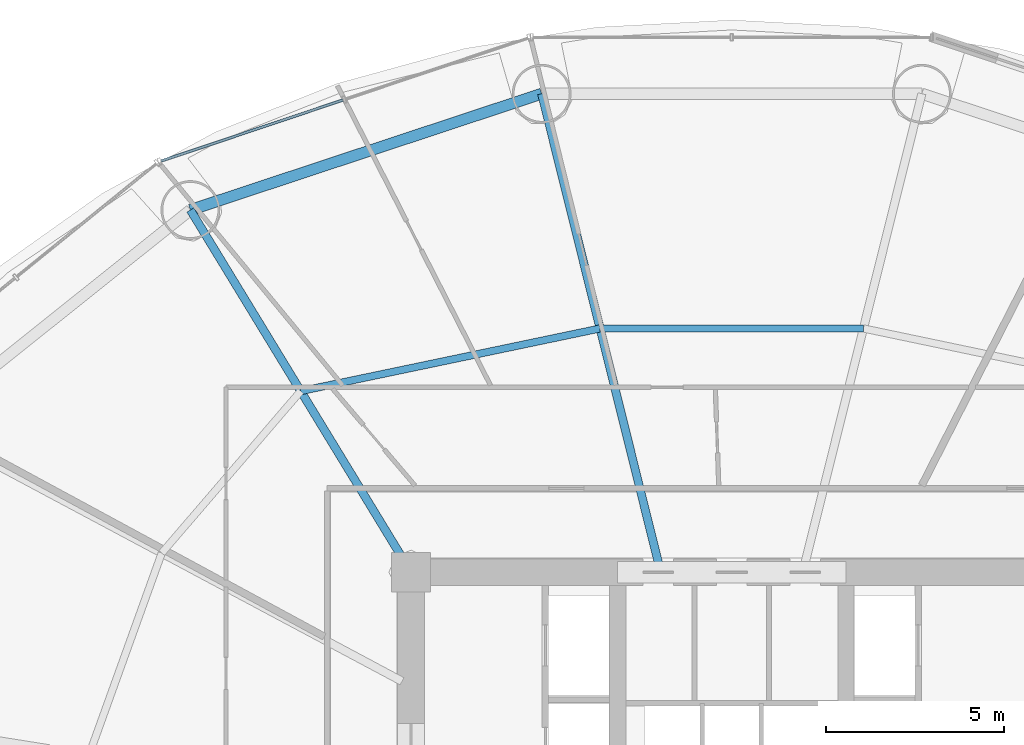
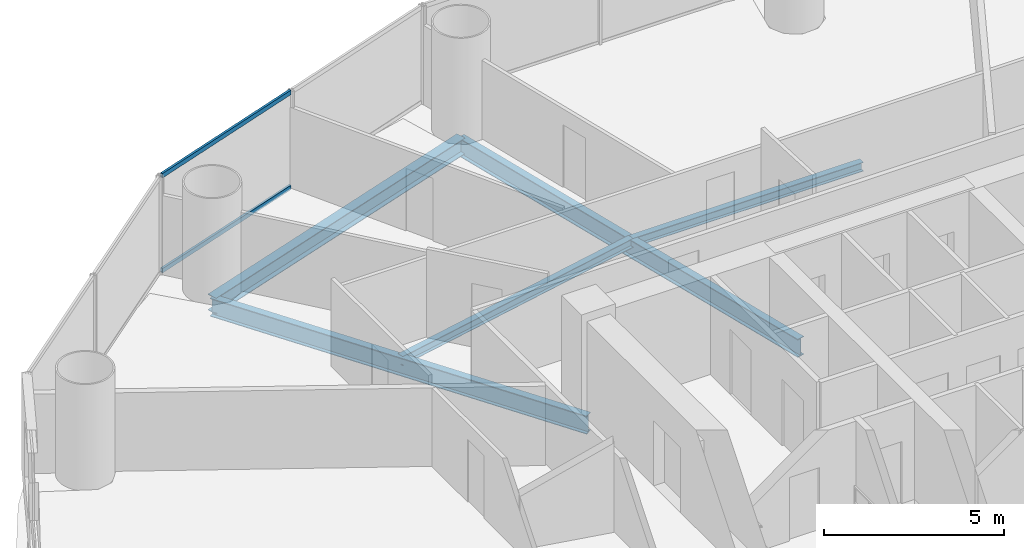
# One storey, part 16 of 29: 5 beams, 2 members, 1 element without a shape of its own.
"""IFC4 building model written with IfcOpenShell, lengths in metres."""

import ifcopenshell
import ifcopenshell.guid

model = None  # the IFC model being written
_history = None  # IfcOwnerHistory: only IFC2X3 demands one
_inside = {}  # id of a spatial element -> (the spatial element, [elements in it])
_under = {}  # id of a project, library or spatial element -> (it, [spatial elements below it])
_declared = {}  # id of a project -> (the project, [libraries it declares])
_typed = {}  # id of a type object -> (the type object, [elements of that type])
_made_of = {}  # id of a material, layer set ... -> (it, [elements and type objects made of it])


def new_model(schema):
    """Start an empty IFC model of exactly this schema.

    Asked for "IFC4X3", IfcOpenShell would pick the latest addendum, in which some entities
    have other attributes; the version numbers below select the first issue.
    IFC2X3 requires an IfcOwnerHistory on every rooted entity: one is made here for all.
    """
    global model, _history
    if schema == "IFC4X3":
        model = ifcopenshell.file(schema_version=(4, 3, 0, 0))
    else:
        model = ifcopenshell.file(schema=schema)
    _inside.clear()
    _under.clear()
    _declared.clear()
    _typed.clear()
    _made_of.clear()
    _history = None
    if model.schema == "IFC2X3":
        org = make("IfcOrganization", Name="unknown")
        user = make(
            "IfcPersonAndOrganization",
            ThePerson=make("IfcPerson", FamilyName="unknown"),
            TheOrganization=org,
        )
        app = make(
            "IfcApplication",
            ApplicationDeveloper=org,
            Version="unknown",
            ApplicationFullName="unknown",
            ApplicationIdentifier="unknown",
        )
        _history = make(
            "IfcOwnerHistory",
            OwningUser=user,
            OwningApplication=app,
            ChangeAction="ADDED",
            CreationDate=0,
        )
    return model


def make(cls, **values):
    """One entity of the class cls with the attributes given. An attribute that is None is left unset."""
    return model.create_entity(
        cls, **{name: value for name, value in values.items() if value is not None}
    )


def rooted(cls, **values):
    """An entity with a GlobalId (a new one), such as an element, a storey or a relation."""
    return make(cls, GlobalId=ifcopenshell.guid.new(), OwnerHistory=_history, **values)


def si_unit(unit_type, name, prefix=None):
    """IfcSIUnit, for example si_unit("LENGTHUNIT", "METRE", prefix="MILLI")."""
    return make("IfcSIUnit", UnitType=unit_type, Prefix=prefix, Name=name)


def assignment(units):
    """IfcUnitAssignment: the units of a project."""
    return None if units is None else make("IfcUnitAssignment", Units=units)


def point(xyz):
    """IfcCartesianPoint."""
    return None if xyz is None else make("IfcCartesianPoint", Coordinates=xyz)


def direction(xyz):
    """IfcDirection."""
    return None if xyz is None else make("IfcDirection", DirectionRatios=xyz)


def frame(location, z_axis=None, x_axis=None):
    """IfcAxis2Placement3D, a coordinate frame: its origin and axes. An axis left out is left unset."""
    return make(
        "IfcAxis2Placement3D",
        Location=point(location),
        Axis=direction(z_axis),
        RefDirection=direction(x_axis),
    )


def frame_2d(location, x_axis=None):
    """IfcAxis2Placement2D, a coordinate frame in the plane: its origin and x axis."""
    return make(
        "IfcAxis2Placement2D", Location=point(location), RefDirection=direction(x_axis)
    )


def origin():
    """The frame at (0, 0, 0) with its axes left unset."""
    return frame((0.0, 0.0, 0.0))


def origin_2d():
    """The frame at (0, 0) in the plane with its x axis left unset."""
    return frame_2d((0.0, 0.0))


def place(relative_to, where):
    """IfcLocalPlacement: puts the frame where relative to a parent placement (None: the world)."""
    return make(
        "IfcLocalPlacement", PlacementRelTo=relative_to, RelativePlacement=where
    )


def context(
    kind, dimensions, precision=None, world=None, true_north=None, identifier=None
):
    """IfcGeometricRepresentationContext, for example the 3D "Model" context."""
    return make(
        "IfcGeometricRepresentationContext",
        ContextIdentifier=identifier,
        ContextType=kind,
        CoordinateSpaceDimension=dimensions,
        Precision=precision,
        WorldCoordinateSystem=world,
        TrueNorth=true_north,
    )


def subcontext(parent, identifier, kind, view, scale=None):
    """IfcGeometricRepresentationSubContext, for example "Body" below "Model"."""
    return make(
        "IfcGeometricRepresentationSubContext",
        ContextIdentifier=identifier,
        ContextType=kind,
        ParentContext=parent,
        TargetScale=scale,
        TargetView=view,
    )


def project(units=None, contexts=None):
    """IfcProject with its units and contexts."""
    return rooted(
        "IfcProject",
        Name="project",
        RepresentationContexts=contexts,
        UnitsInContext=assignment(units),
    )


def spatial(cls, under=None, at=None, **own):
    """A site, building, storey or space (cls), placed at a placement, below another one or the project."""
    s = rooted(cls, ObjectPlacement=at, **own)
    if under is not None:
        _under.setdefault(under.id(), (under, []))[1].append(s)
    return s


def profile(cls, at=None, kind="AREA", **sizes):
    """A parametric profile (cls). Its sizes go by their IFC names, for example OverallWidth=200.0."""
    return make(cls, ProfileType=kind, Position=at, **sizes)


def hollow_rectangle(**sizes):
    """IfcRectangleHollowProfileDef."""
    return profile("IfcRectangleHollowProfileDef", **sizes)


def i_section(**sizes):
    """IfcIShapeProfileDef."""
    return profile("IfcIShapeProfileDef", **sizes)


def extrude(swept, where, along, depth):
    """IfcExtrudedAreaSolid: the profile swept, set in the frame where, extruded along a direction by depth."""
    return make(
        "IfcExtrudedAreaSolid",
        SweptArea=swept,
        Position=where,
        ExtrudedDirection=direction(along),
        Depth=depth,
    )


def shape(context_of_items, identifier, shape_type, items):
    """IfcShapeRepresentation: the items that make up one representation, for example the "Body"."""
    return make(
        "IfcShapeRepresentation",
        ContextOfItems=context_of_items,
        RepresentationIdentifier=identifier,
        RepresentationType=shape_type,
        Items=items,
    )


def source(mapping_origin, context_of_items, identifier, shape_type, items):
    """IfcRepresentationMap: a shape defined once, which mapped items show again and again."""
    return make(
        "IfcRepresentationMap",
        MappingOrigin=mapping_origin,
        MappedRepresentation=shape(context_of_items, identifier, shape_type, items),
    )


def transform(
    local_origin,
    x_axis=None,
    y_axis=None,
    z_axis=None,
    scale=None,
    scale2=None,
    scale3=None,
    uniform=True,
):
    """IfcCartesianTransformationOperator3D, or its non-uniform kind. x_axis, y_axis, z_axis: its Axis1, 2, 3."""
    if uniform:
        return make(
            "IfcCartesianTransformationOperator3D",
            Axis1=direction(x_axis),
            Axis2=direction(y_axis),
            LocalOrigin=point(local_origin),
            Scale=scale,
            Axis3=direction(z_axis),
        )
    return make(
        "IfcCartesianTransformationOperator3DnonUniform",
        Axis1=direction(x_axis),
        Axis2=direction(y_axis),
        LocalOrigin=point(local_origin),
        Scale=scale,
        Axis3=direction(z_axis),
        Scale2=scale2,
        Scale3=scale3,
    )


def mapped(mapping_source, mapping_target):
    """IfcMappedItem: shows the shape of a source again, moved by a transform."""
    return make(
        "IfcMappedItem", MappingSource=mapping_source, MappingTarget=mapping_target
    )


def material(Name=None, Category=None):
    """IfcMaterial."""
    return make("IfcMaterial", Name=Name, Category=Category)


def material_profile(
    of_material, cross_section, Name=None, Category=None, Priority=None
):
    """IfcMaterialProfile: a cross section and its material."""
    return make(
        "IfcMaterialProfile",
        Name=Name,
        Material=of_material,
        Profile=cross_section,
        Priority=Priority,
        Category=Category,
    )


def profile_set(profiles, Name=None, composite=None):
    """IfcMaterialProfileSet."""
    return make(
        "IfcMaterialProfileSet",
        Name=Name,
        MaterialProfiles=profiles,
        CompositeProfile=composite,
    )


def made_of(thing, what):
    """Note that an element or type object is made of a material, layer set ...; save() writes the relation."""
    if what is not None:
        _made_of.setdefault(what.id(), (what, []))[1].append(thing)
    return thing


def type_object(cls, material=None, **own):
    """A type object (cls), such as IfcWallType, which elements share."""
    return made_of(rooted(cls, **own), material)


def element(
    cls,
    number,
    at=None,
    inside=None,
    cuts=None,
    type_object=None,
    material=None,
    context=None,
    identifier="Body",
    shape_type=None,
    held_by="IfcProductDefinitionShape",
    body=None,
    shapes=None,
    **own,
):
    """One element of the class cls, such as IfcWall. Its Tag is "e" and its number.

    at: its placement. inside: the storey or other place that contains it. cuts: it is an
    opening in that element (IfcRelVoidsElement). A single representation is given by context,
    identifier, shape_type and body (its items); several are given by shapes. held_by: the class
    of the entity that holds the representations. save() writes the other relations.
    """
    e = rooted(cls, Tag="e%d" % number, ObjectPlacement=at, **own)
    if body is not None:
        shapes = [shape(context, identifier, shape_type, body)]
    if shapes is not None:
        e.Representation = make(held_by, Representations=shapes)
    if inside is not None:
        _inside.setdefault(inside.id(), (inside, []))[1].append(e)
    if cuts is not None:
        rooted(
            "IfcRelVoidsElement", RelatingBuildingElement=cuts, RelatedOpeningElement=e
        )
    if type_object is not None:
        _typed.setdefault(type_object.id(), (type_object, []))[1].append(e)
    return made_of(e, material)


def aggregate(whole, parts):
    """IfcRelAggregates: a whole, such as a stair, and the parts it consists of."""
    return rooted("IfcRelAggregates", RelatingObject=whole, RelatedObjects=parts)


def save(model, path):
    """Write the relations noted so far, then the file.

    IfcRelAggregates (storeys below a building ...), IfcRelContainedInSpatialStructure (elements
    in a storey), IfcRelDefinesByType, IfcRelAssociatesMaterial and IfcRelDeclares: one each for
    every whole, place, type object, material and project.
    """
    for whole, parts in _under.values():
        aggregate(whole, parts)
    for where, things in _inside.values():
        rooted(
            "IfcRelContainedInSpatialStructure",
            RelatedElements=things,
            RelatingStructure=where,
        )
    for kind, things in _typed.values():
        rooted("IfcRelDefinesByType", RelatedObjects=things, RelatingType=kind)
    for what, things in _made_of.values():
        rooted("IfcRelAssociatesMaterial", RelatedObjects=things, RelatingMaterial=what)
    for by, libraries in _declared.values():
        rooted("IfcRelDeclares", RelatingContext=by, RelatedDefinitions=libraries)
    model.write(path)


model = new_model("IFC4")

# Units and contexts
model_context = context("Model", 3, precision=1e-05, world=origin(), true_north=direction((-0.2419218956, 0.970295726276)))
body_context = subcontext(model_context, "Body", "Model", "MODEL_VIEW")
ifc_project = project(units=[si_unit("LENGTHUNIT", "METRE"), si_unit("AREAUNIT", "SQUARE_METRE"), si_unit("VOLUMEUNIT", "CUBIC_METRE"), si_unit("PLANEANGLEUNIT", "RADIAN"), si_unit("MASSUNIT", "GRAM", prefix="KILO")], contexts=[model_context])

# Site, building, storey
site_placement = place(None, origin())
site = spatial("IfcSite", under=ifc_project, at=site_placement, CompositionType="ELEMENT")
building_placement = place(site_placement, origin())
building = spatial("IfcBuilding", under=site, at=building_placement, Name="Cobrevalo Terracotta Tower", CompositionType="ELEMENT")
storey_placement = place(building_placement, frame((0.0, 0.0, 45.60009765625)))
storey = spatial("IfcBuildingStorey", under=building, at=storey_placement, Name="L11", CompositionType="ELEMENT", Elevation=45.60009765625)

# Beams
ifc_material_1 = material(Name="Steel S355", Category="steel")
ifc_material_profile_1 = material_profile(ifc_material_1, i_section(OverallWidth=0.22998046875, OverallDepth=0.616943359375, WebThickness=0.01318359375, FlangeThickness=0.022216796875, at=origin_2d()), Name="W 610x140")
ifc_profile_set_1 = profile_set([ifc_material_profile_1], Name="Steel S355")
beam_type_1 = type_object("IfcBeamType", Name="Structural Beam W 610x140 (Steel S355)", PredefinedType="BEAM", material=ifc_profile_set_1)
beam_1_placement = place(storey_placement, frame((32.664306640625, 48.230224609375, -0.588623046875), z_axis=(0.241596254786, -0.970376859614, 0.0), x_axis=(0.970376859614, 0.241596254786, 0.0)))
element("IfcBeam", 1, at=beam_1_placement, inside=storey, type_object=beam_type_1, Name="L11 radial floor girder 05", PredefinedType="BEAM", context=body_context, shape_type="SweptSolid", body=[
    extrude(i_section(OverallWidth=0.22998046875, OverallDepth=0.616943359375, WebThickness=0.01318359375, FlangeThickness=0.022216796875, at=origin_2d()), origin(), (0.0, 0.0, 1.0), 13.577392578125),
])
beam_2_placement = place(storey_placement, frame((22.80517578125, 44.967529296875, -0.588623046875), z_axis=(0.520309892051, -0.853977526773, 0.0), x_axis=(0.853977526773, 0.520309892051, 0.0)))
element("IfcBeam", 2, at=beam_2_placement, inside=storey, type_object=beam_type_1, Name="L11 radial floor girder 06", PredefinedType="BEAM", context=body_context, shape_type="SweptSolid", body=[
    extrude(i_section(OverallWidth=0.22998046875, OverallDepth=0.616943359375, WebThickness=0.01318359375, FlangeThickness=0.022216796875, at=origin_2d()), origin(), (0.0, 0.0, 1.0), 11.906005859375),
])
ifc_material_profile_2 = material_profile(ifc_material_1, i_section(OverallWidth=0.2041015625, OverallDepth=0.305908203125, WebThickness=0.008544921875, FlangeThickness=0.0146484375, at=origin_2d()), Name="W 310x67")
ifc_profile_set_2 = profile_set([ifc_material_profile_2], Name="Steel S355")
beam_type_2 = type_object("IfcBeamType", Name="Structural Joist W 310x67 (Steel S355)", PredefinedType="JOIST", material=ifc_profile_set_2)
beam_3_placement = place(storey_placement, frame((41.695556640625, 41.642578125, -0.43310546875), z_axis=(-1.0, 0.0, 0.0), x_axis=(0.0, -1.0, 0.0)))
element("IfcBeam", 3, at=beam_3_placement, inside=storey, type_object=beam_type_2, Name="L11 circumferential secondary floor joist 04", PredefinedType="JOIST", context=body_context, shape_type="SweptSolid", body=[
    extrude(i_section(OverallWidth=0.2041015625, OverallDepth=0.305908203125, WebThickness=0.008544921875, FlangeThickness=0.0146484375, at=origin_2d()), origin(), (0.0, 0.0, 1.0), 7.39111328125),
])
beam_4_placement = place(storey_placement, frame((34.304443359375, 41.642578125, -0.43310546875), z_axis=(-0.978784523904, -0.204892302848, 0.0), x_axis=(0.204892302848, -0.978784523904, 0.0)))
element("IfcBeam", 4, at=beam_4_placement, inside=storey, type_object=beam_type_2, Name="L11 circumferential secondary floor joist 05", PredefinedType="JOIST", context=body_context, shape_type="SweptSolid", body=[
    extrude(i_section(OverallWidth=0.2041015625, OverallDepth=0.305908203125, WebThickness=0.008544921875, FlangeThickness=0.0146484375, at=origin_2d()), origin(), (0.0, 0.0, 1.0), 8.583984375),
])
ifc_material_profile_3 = material_profile(ifc_material_1, i_section(OverallWidth=0.31201171875, OverallDepth=0.54296875, WebThickness=0.0126953125, FlangeThickness=0.020263671875, at=origin_2d()), Name="W 530x150")
ifc_profile_set_3 = profile_set([ifc_material_profile_3], Name="Steel S355")
beam_type_3 = type_object("IfcBeamType", Name="Structural Spandrel W 530x150 (Steel S355)", PredefinedType="SPANDREL", material=ifc_profile_set_3)
beam_5_placement = place(storey_placement, frame((32.664306640625, 48.230224609375, -0.551513671875), z_axis=(-0.949365190876, -0.314174687638, 0.0), x_axis=(0.314174687638, -0.949365190876, 0.0)))
element("IfcBeam", 5, at=beam_5_placement, inside=storey, type_object=beam_type_3, Name="L11 perimeter ring spandrel 05", PredefinedType="SPANDREL", context=body_context, shape_type="SweptSolid", body=[
    extrude(i_section(OverallWidth=0.31201171875, OverallDepth=0.54296875, WebThickness=0.0126953125, FlangeThickness=0.020263671875, at=origin_2d()), origin(), (0.0, 0.0, 1.0), 10.385009765625),
])

# Curtain wall, members
ifc_material_2 = material(Name="Anodized aluminium", Category="aluminium")
curtain_wall_type = type_object("IfcCurtainWallType", Name="Lower-tower unitised acoustic low-E curtain wall CW-U1", PredefinedType="NOTDEFINED", material=ifc_material_2)
curtain_wall_placement = place(storey_placement, origin())
curtain_wall = element("IfcCurtainWall", 6, at=curtain_wall_placement, inside=storey, type_object=curtain_wall_type, Name="L11 curtain wall CW-L11-S05", PredefinedType="NOTDEFINED")
ifc_material_profile_4 = material_profile(ifc_material_2, hollow_rectangle(XDim=0.074951171875, YDim=0.14990234375, WallThickness=0.00439453125, at=origin_2d()), Name="CWT 75x150")
ifc_profile_set_4 = profile_set([ifc_material_profile_4], Name="Anodized aluminium")
member_type = type_object("IfcMemberType", Name="Tower unitised aluminium transom 75x150", PredefinedType="USERDEFINED", material=ifc_profile_set_4)
shared_shape = source(origin(), body_context, "Body", "SweptSolid", [
    extrude(hollow_rectangle(XDim=0.074951171875, YDim=0.14990234375, WallThickness=0.00439453125, at=origin_2d()), origin(), (0.0, 0.0, 1.0), 5.387939453125),
])
member_1_placement = place(storey_placement, frame((27.0888671875, 48.05419921875, 0.0498046875), z_axis=(-0.94804244582, -0.318143868278, 0.0), x_axis=(0.318143868278, -0.94804244582, 0.0)))
member_1 = element("IfcMember", 7, at=member_1_placement, type_object=member_type, Name="CW-L11-S05 transom B02-T1", ObjectType="TRANSOM", PredefinedType="USERDEFINED", context=body_context, shape_type="MappedRepresentation", body=[
    mapped(shared_shape, transform((0.0, 0.0, 0.0), scale=1.0)),
])
member_2_placement = place(storey_placement, frame((27.0888671875, 48.05419921875, 3.27001953125), z_axis=(-0.94804244582, -0.318143868278, 0.0), x_axis=(0.318143868278, -0.94804244582, 0.0)))
member_2 = element("IfcMember", 8, at=member_2_placement, type_object=member_type, Name="CW-L11-S05 transom B02-T2", ObjectType="TRANSOM", PredefinedType="USERDEFINED", context=body_context, shape_type="MappedRepresentation", body=[
    mapped(shared_shape, transform((0.0, 0.0, 0.0), scale=1.0)),
])
aggregate(curtain_wall, [member_1, member_2])

save(model, "model.ifc")
